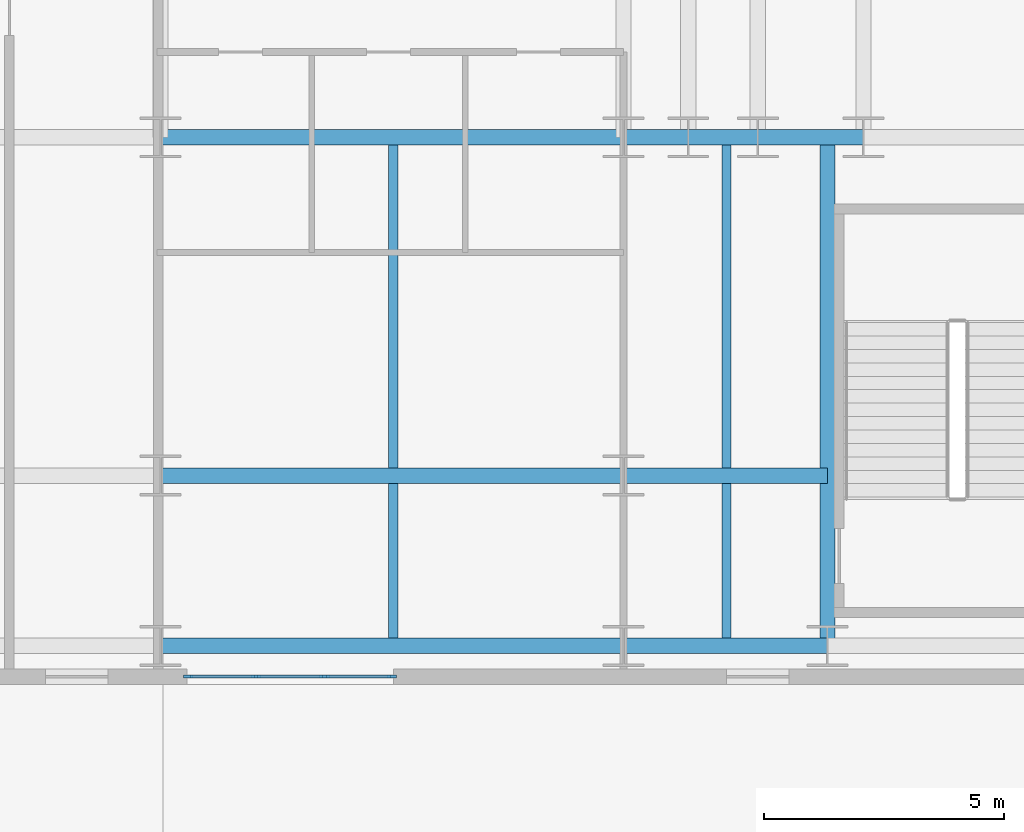
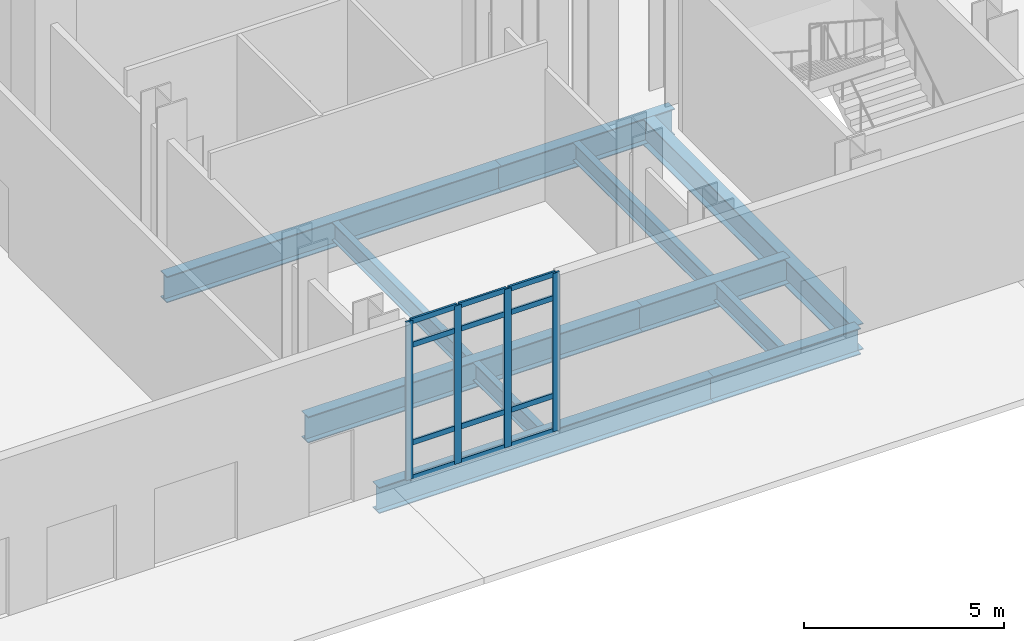
# One storey, part 4 of 21: 16 members, 11 beams, 1 element without a shape of its own.
"""IFC4 building model written with IfcOpenShell, lengths in metres."""

from ifc_helpers import new_model, si_unit, direction, frame, origin, origin_2d, place, context, subcontext, project, spatial, rectangle, i_section, extrude, material, layer, layer_set, material_profile, profile_set, type_object, element, aggregate, save


model = new_model("IFC4")

# Units and contexts
model_context = context("Model", 3, precision=1e-05, world=origin(), true_north=direction((0.0, 1.0)))
body_context = subcontext(model_context, "Body", "Model", "MODEL_VIEW")
ifc_project = project(units=[si_unit("LENGTHUNIT", "METRE"), si_unit("AREAUNIT", "SQUARE_METRE"), si_unit("VOLUMEUNIT", "CUBIC_METRE"), si_unit("PLANEANGLEUNIT", "RADIAN"), si_unit("MASSUNIT", "GRAM", prefix="KILO")], contexts=[model_context])

# Site, building, storey
site_placement = place(None, origin())
site = spatial("IfcSite", under=ifc_project, at=site_placement, CompositionType="ELEMENT")
building_placement = place(site_placement, origin())
building = spatial("IfcBuilding", under=site, at=building_placement, Name="Velakula Bourse", CompositionType="ELEMENT")
storey_placement = place(building_placement, origin())
storey = spatial("IfcBuildingStorey", under=building, at=storey_placement, Name="L00", CompositionType="ELEMENT", Elevation=0.0)

# Beams
ifc_material_1 = material(Name="Steel IS 2062 Grade 350 (E350)", Category="steel")
ifc_material_profile_1 = material_profile(ifc_material_1, i_section(OverallWidth=0.320068359375, OverallDepth=0.800048828125, WebThickness=0.01806640625, FlangeThickness=0.028076171875, at=origin_2d()), Name="Steel IS 2062 Grade 350 (E350)")
ifc_profile_set_1 = profile_set([ifc_material_profile_1], Name="Steel IS 2062 Grade 350 (E350)")
beam_type_1 = type_object("IfcBeamType", Name="BM-POD-800", PredefinedType="BEAM", material=ifc_profile_set_1)
beam_1_placement = place(storey_placement, frame((8.949951171875, -14.60009765625, -0.75), z_axis=(1.0, 0.0, 0.0), x_axis=(0.0, 1.0, 0.0)))
element("IfcBeam", 1, at=beam_1_placement, inside=storey, type_object=beam_type_1, Name="L00 Fulcrum Grid Girder FLC-S3", PredefinedType="BEAM", context=body_context, shape_type="SweptSolid", body=[
    extrude(i_section(OverallWidth=0.320068359375, OverallDepth=0.800048828125, WebThickness=0.01806640625, FlangeThickness=0.028076171875, at=origin_2d()), origin(), (0.0, 0.0, 1.0), 9.650146484375),
])
beam_2_placement = place(storey_placement, frame((18.60009765625, -14.60009765625, -0.75), z_axis=(1.0, 0.0, 0.0), x_axis=(0.0, 1.0, 0.0)))
element("IfcBeam", 2, at=beam_2_placement, inside=storey, type_object=beam_type_1, Name="L00 Fulcrum Grid Girder MWG-ES1", PredefinedType="BEAM", context=body_context, shape_type="SweptSolid", body=[
    extrude(i_section(OverallWidth=0.320068359375, OverallDepth=0.800048828125, WebThickness=0.01806640625, FlangeThickness=0.028076171875, at=origin_2d()), origin(), (0.0, 0.0, 1.0), 5.0),
])
beam_3_placement = place(storey_placement, frame((22.85009765625, -25.199951171875, -0.75), z_axis=(0.0, 1.0, 0.0), x_axis=(-1.0, 0.0, 0.0)))
element("IfcBeam", 3, at=beam_3_placement, inside=storey, type_object=beam_type_1, Name="L00 Podium Stairwell Header Girder STE", PredefinedType="BEAM", context=body_context, shape_type="SweptSolid", body=[
    extrude(i_section(OverallWidth=0.320068359375, OverallDepth=0.800048828125, WebThickness=0.01806640625, FlangeThickness=0.028076171875, at=origin_2d()), origin(), (0.0, 0.0, 1.0), 10.599853515625),
])
beam_4_placement = place(storey_placement, frame((8.949951171875, -25.199951171875, -0.75), z_axis=(1.0, 0.0, 0.0), x_axis=(0.0, 1.0, 0.0)))
element("IfcBeam", 4, at=beam_4_placement, inside=storey, type_object=beam_type_1, Name="L00 Podium E-W Girder 07", PredefinedType="BEAM", context=body_context, shape_type="SweptSolid", body=[
    extrude(i_section(OverallWidth=0.320068359375, OverallDepth=0.800048828125, WebThickness=0.01806640625, FlangeThickness=0.028076171875, at=origin_2d()), origin(), (0.0, 0.0, 1.0), 9.650146484375),
])
beam_5_placement = place(storey_placement, frame((18.60009765625, -25.199951171875, -0.75), z_axis=(1.0, 0.0, 0.0), x_axis=(0.0, 1.0, 0.0)))
element("IfcBeam", 5, at=beam_5_placement, inside=storey, type_object=beam_type_1, Name="L00 Podium E-W Girder 08", PredefinedType="BEAM", context=body_context, shape_type="SweptSolid", body=[
    extrude(i_section(OverallWidth=0.320068359375, OverallDepth=0.800048828125, WebThickness=0.01806640625, FlangeThickness=0.028076171875, at=origin_2d()), origin(), (0.0, 0.0, 1.0), 4.25),
])
beam_6_placement = place(storey_placement, frame((8.949951171875, -21.64990234375, -0.75), z_axis=(1.0, 0.0, 0.0), x_axis=(0.0, 1.0, 0.0)))
element("IfcBeam", 6, at=beam_6_placement, inside=storey, type_object=beam_type_1, Name="L00 Podium E-W Girder 17", PredefinedType="BEAM", context=body_context, shape_type="SweptSolid", body=[
    extrude(i_section(OverallWidth=0.320068359375, OverallDepth=0.800048828125, WebThickness=0.01806640625, FlangeThickness=0.028076171875, at=origin_2d()), origin(), (0.0, 0.0, 1.0), 9.650146484375),
])
beam_7_placement = place(storey_placement, frame((18.60009765625, -21.64990234375, -0.75), z_axis=(1.0, 0.0, 0.0), x_axis=(0.0, 1.0, 0.0)))
element("IfcBeam", 7, at=beam_7_placement, inside=storey, type_object=beam_type_1, Name="L00 Podium E-W Girder 18", PredefinedType="BEAM", context=body_context, shape_type="SweptSolid", body=[
    extrude(i_section(OverallWidth=0.320068359375, OverallDepth=0.800048828125, WebThickness=0.01806640625, FlangeThickness=0.028076171875, at=origin_2d()), origin(), (0.0, 0.0, 1.0), 4.25),
])
ifc_material_profile_2 = material_profile(ifc_material_1, i_section(OverallWidth=0.18994140625, OverallDepth=0.550048828125, WebThickness=0.01123046875, FlangeThickness=0.019287109375, at=origin_2d()), Name="Steel IS 2062 Grade 350 (E350)")
ifc_profile_set_2 = profile_set([ifc_material_profile_2], Name="Steel IS 2062 Grade 350 (E350)")
beam_type_2 = type_object("IfcBeamType", Name="JST-POD-550", PredefinedType="JOIST", material=ifc_profile_set_2)
beam_8_placement = place(storey_placement, frame((13.800048828125, -25.0400390625, -0.625), z_axis=(0.0, 1.0, 0.0), x_axis=(-1.0, 0.0, 0.0)))
element("IfcBeam", 8, at=beam_8_placement, inside=storey, type_object=beam_type_2, Name="L00 Station Podium Floor Joist 21", PredefinedType="JOIST", context=body_context, shape_type="SweptSolid", body=[
    extrude(i_section(OverallWidth=0.18994140625, OverallDepth=0.550048828125, WebThickness=0.01123046875, FlangeThickness=0.019287109375, at=origin_2d()), origin(), (0.0, 0.0, 1.0), 3.22998046875),
])
beam_9_placement = place(storey_placement, frame((13.800048828125, -21.489990234375, -0.625), z_axis=(0.0, 1.0, 0.0), x_axis=(-1.0, 0.0, 0.0)))
element("IfcBeam", 9, at=beam_9_placement, inside=storey, type_object=beam_type_2, Name="L00 Station Podium Floor Joist 22", PredefinedType="JOIST", context=body_context, shape_type="SweptSolid", body=[
    extrude(i_section(OverallWidth=0.18994140625, OverallDepth=0.550048828125, WebThickness=0.01123046875, FlangeThickness=0.019287109375, at=origin_2d()), origin(), (0.0, 0.0, 1.0), 6.72998046875),
])
beam_10_placement = place(storey_placement, frame((20.75, -25.0400390625, -0.625), z_axis=(0.0, 1.0, 0.0), x_axis=(-1.0, 0.0, 0.0)))
element("IfcBeam", 10, at=beam_10_placement, inside=storey, type_object=beam_type_2, Name="L00 Station Podium Floor Joist 25", PredefinedType="JOIST", context=body_context, shape_type="SweptSolid", body=[
    extrude(i_section(OverallWidth=0.18994140625, OverallDepth=0.550048828125, WebThickness=0.01123046875, FlangeThickness=0.019287109375, at=origin_2d()), origin(), (0.0, 0.0, 1.0), 3.22998046875),
])
beam_11_placement = place(storey_placement, frame((20.75, -21.489990234375, -0.625), z_axis=(0.0, 1.0, 0.0), x_axis=(-1.0, 0.0, 0.0)))
element("IfcBeam", 11, at=beam_11_placement, inside=storey, type_object=beam_type_2, Name="L00 Station Podium Floor Joist 26", PredefinedType="JOIST", context=body_context, shape_type="SweptSolid", body=[
    extrude(i_section(OverallWidth=0.18994140625, OverallDepth=0.550048828125, WebThickness=0.01123046875, FlangeThickness=0.019287109375, at=origin_2d()), origin(), (0.0, 0.0, 1.0), 6.72998046875),
])

# Curtain wall, members
ifc_material_2 = material(Name="Anodised bronze architectural aluminium", Category="aluminium")
ifc_layer = layer(ifc_material_2, 0.199951171875, Name="Anodised bronze architectural aluminium", Category="aluminium")
ifc_layer_set = layer_set([ifc_layer], Name="Anodised bronze architectural aluminium")
curtain_wall_type = type_object("IfcCurtainWallType", Name="CW-ST1", PredefinedType="NOTDEFINED", material=ifc_layer_set)
curtain_wall_placement = place(storey_placement, origin())
curtain_wall = element("IfcCurtainWall", 12, at=curtain_wall_placement, inside=storey, type_object=curtain_wall_type, Name="L00 South Station Galleria Curtain Wall 2", PredefinedType="NOTDEFINED")
ifc_material_profile_3 = material_profile(ifc_material_2, rectangle(XDim=0.06005859375, YDim=0.199951171875, at=origin_2d()), Name="Anodised bronze architectural aluminium")
ifc_profile_set_3 = profile_set([ifc_material_profile_3], Name="Anodised bronze architectural aluminium")
member_type_1 = type_object("IfcMemberType", Name="MUL-CW-ST1", PredefinedType="MULLION", material=ifc_profile_set_3)
member_1_placement = place(storey_placement, frame((13.77001953125, -25.840087890625, 0.0), z_axis=(0.0, 0.0, 1.0), x_axis=(0.0, -1.0, 0.0)))
member_1 = element("IfcMember", 13, at=member_1_placement, type_object=member_type_1, Name="CW-ST1 mullion 1", PredefinedType="MULLION", context=body_context, shape_type="SweptSolid", body=[
    extrude(rectangle(XDim=0.06005859375, YDim=0.199951171875, at=origin_2d()), origin(), (0.0, 0.0, 1.0), 4.830078125),
])
member_2_placement = place(storey_placement, frame((12.36669921875, -25.840087890625, 0.0), z_axis=(0.0, 0.0, 1.0), x_axis=(0.0, -1.0, 0.0)))
member_2 = element("IfcMember", 14, at=member_2_placement, type_object=member_type_1, Name="CW-ST1 mullion 2", PredefinedType="MULLION", context=body_context, shape_type="SweptSolid", body=[
    extrude(rectangle(XDim=0.06005859375, YDim=0.199951171875, at=origin_2d()), origin(), (0.0, 0.0, 1.0), 4.830078125),
])
member_3_placement = place(storey_placement, frame((10.933349609375, -25.840087890625, 0.0), z_axis=(0.0, 0.0, 1.0), x_axis=(0.0, -1.0, 0.0)))
member_3 = element("IfcMember", 15, at=member_3_placement, type_object=member_type_1, Name="CW-ST1 mullion 3", PredefinedType="MULLION", context=body_context, shape_type="SweptSolid", body=[
    extrude(rectangle(XDim=0.06005859375, YDim=0.199951171875, at=origin_2d()), origin(), (0.0, 0.0, 1.0), 4.830078125),
])
member_4_placement = place(storey_placement, frame((9.530029296875, -25.840087890625, 0.0), z_axis=(0.0, 0.0, 1.0), x_axis=(0.0, -1.0, 0.0)))
member_4 = element("IfcMember", 16, at=member_4_placement, type_object=member_type_1, Name="CW-ST1 mullion 4", PredefinedType="MULLION", context=body_context, shape_type="SweptSolid", body=[
    extrude(rectangle(XDim=0.06005859375, YDim=0.199951171875, at=origin_2d()), origin(), (0.0, 0.0, 1.0), 4.830078125),
])
ifc_material_profile_4 = material_profile(ifc_material_2, rectangle(XDim=0.06005859375, YDim=0.159912109375, at=origin_2d()), Name="Anodised bronze architectural aluminium")
ifc_profile_set_4 = profile_set([ifc_material_profile_4], Name="Anodised bronze architectural aluminium")
member_type_2 = type_object("IfcMemberType", Name="TRN-CW-ST1", PredefinedType="USERDEFINED", material=ifc_profile_set_4)
member_5_placement = place(storey_placement, frame((13.739990234375, -25.840087890625, 0.030029296875), z_axis=(-1.0, 0.0, 0.0), x_axis=(0.0, -1.0, 0.0)))
member_5 = element("IfcMember", 17, at=member_5_placement, type_object=member_type_2, Name="CW-ST1 transom 1.1", ObjectType="TRANSOM", PredefinedType="USERDEFINED", context=body_context, shape_type="SweptSolid", body=[
    extrude(rectangle(XDim=0.06005859375, YDim=0.159912109375, at=origin_2d()), origin(), (0.0, 0.0, 1.0), 1.34326171875),
])
member_6_placement = place(storey_placement, frame((13.739990234375, -25.840087890625, 1.10009765625), z_axis=(-1.0, 0.0, 0.0), x_axis=(0.0, -1.0, 0.0)))
member_6 = element("IfcMember", 18, at=member_6_placement, type_object=member_type_2, Name="CW-ST1 transom 1.2", ObjectType="TRANSOM", PredefinedType="USERDEFINED", context=body_context, shape_type="SweptSolid", body=[
    extrude(rectangle(XDim=0.06005859375, YDim=0.159912109375, at=origin_2d()), origin(), (0.0, 0.0, 1.0), 1.34326171875),
])
member_7_placement = place(storey_placement, frame((13.739990234375, -25.840087890625, 4.080078125), z_axis=(-1.0, 0.0, 0.0), x_axis=(0.0, -1.0, 0.0)))
member_7 = element("IfcMember", 19, at=member_7_placement, type_object=member_type_2, Name="CW-ST1 transom 1.3", ObjectType="TRANSOM", PredefinedType="USERDEFINED", context=body_context, shape_type="SweptSolid", body=[
    extrude(rectangle(XDim=0.06005859375, YDim=0.159912109375, at=origin_2d()), origin(), (0.0, 0.0, 1.0), 1.34326171875),
])
member_8_placement = place(storey_placement, frame((13.739990234375, -25.840087890625, 4.800048828125), z_axis=(-1.0, 0.0, 0.0), x_axis=(0.0, -1.0, 0.0)))
member_8 = element("IfcMember", 20, at=member_8_placement, type_object=member_type_2, Name="CW-ST1 transom 1.4", ObjectType="TRANSOM", PredefinedType="USERDEFINED", context=body_context, shape_type="SweptSolid", body=[
    extrude(rectangle(XDim=0.06005859375, YDim=0.159912109375, at=origin_2d()), origin(), (0.0, 0.0, 1.0), 1.34326171875),
])
member_9_placement = place(storey_placement, frame((12.336669921875, -25.840087890625, 0.030029296875), z_axis=(-1.0, 0.0, 0.0), x_axis=(0.0, -1.0, 0.0)))
member_9 = element("IfcMember", 21, at=member_9_placement, type_object=member_type_2, Name="CW-ST1 transom 2.1", ObjectType="TRANSOM", PredefinedType="USERDEFINED", context=body_context, shape_type="SweptSolid", body=[
    extrude(rectangle(XDim=0.06005859375, YDim=0.159912109375, at=origin_2d()), origin(), (0.0, 0.0, 1.0), 1.373291015625),
])
member_10_placement = place(storey_placement, frame((12.336669921875, -25.840087890625, 1.10009765625), z_axis=(-1.0, 0.0, 0.0), x_axis=(0.0, -1.0, 0.0)))
member_10 = element("IfcMember", 22, at=member_10_placement, type_object=member_type_2, Name="CW-ST1 transom 2.2", ObjectType="TRANSOM", PredefinedType="USERDEFINED", context=body_context, shape_type="SweptSolid", body=[
    extrude(rectangle(XDim=0.06005859375, YDim=0.159912109375, at=origin_2d()), origin(), (0.0, 0.0, 1.0), 1.373291015625),
])
member_11_placement = place(storey_placement, frame((12.336669921875, -25.840087890625, 4.080078125), z_axis=(-1.0, 0.0, 0.0), x_axis=(0.0, -1.0, 0.0)))
member_11 = element("IfcMember", 23, at=member_11_placement, type_object=member_type_2, Name="CW-ST1 transom 2.3", ObjectType="TRANSOM", PredefinedType="USERDEFINED", context=body_context, shape_type="SweptSolid", body=[
    extrude(rectangle(XDim=0.06005859375, YDim=0.159912109375, at=origin_2d()), origin(), (0.0, 0.0, 1.0), 1.373291015625),
])
member_12_placement = place(storey_placement, frame((12.336669921875, -25.840087890625, 4.800048828125), z_axis=(-1.0, 0.0, 0.0), x_axis=(0.0, -1.0, 0.0)))
member_12 = element("IfcMember", 24, at=member_12_placement, type_object=member_type_2, Name="CW-ST1 transom 2.4", ObjectType="TRANSOM", PredefinedType="USERDEFINED", context=body_context, shape_type="SweptSolid", body=[
    extrude(rectangle(XDim=0.06005859375, YDim=0.159912109375, at=origin_2d()), origin(), (0.0, 0.0, 1.0), 1.373291015625),
])
member_13_placement = place(storey_placement, frame((10.9033203125, -25.840087890625, 0.030029296875), z_axis=(-1.0, 0.0, 0.0), x_axis=(0.0, -1.0, 0.0)))
member_13 = element("IfcMember", 25, at=member_13_placement, type_object=member_type_2, Name="CW-ST1 transom 3.1", ObjectType="TRANSOM", PredefinedType="USERDEFINED", context=body_context, shape_type="SweptSolid", body=[
    extrude(rectangle(XDim=0.06005859375, YDim=0.159912109375, at=origin_2d()), origin(), (0.0, 0.0, 1.0), 1.34326171875),
])
member_14_placement = place(storey_placement, frame((10.9033203125, -25.840087890625, 1.10009765625), z_axis=(-1.0, 0.0, 0.0), x_axis=(0.0, -1.0, 0.0)))
member_14 = element("IfcMember", 26, at=member_14_placement, type_object=member_type_2, Name="CW-ST1 transom 3.2", ObjectType="TRANSOM", PredefinedType="USERDEFINED", context=body_context, shape_type="SweptSolid", body=[
    extrude(rectangle(XDim=0.06005859375, YDim=0.159912109375, at=origin_2d()), origin(), (0.0, 0.0, 1.0), 1.34326171875),
])
member_15_placement = place(storey_placement, frame((10.9033203125, -25.840087890625, 4.080078125), z_axis=(-1.0, 0.0, 0.0), x_axis=(0.0, -1.0, 0.0)))
member_15 = element("IfcMember", 27, at=member_15_placement, type_object=member_type_2, Name="CW-ST1 transom 3.3", ObjectType="TRANSOM", PredefinedType="USERDEFINED", context=body_context, shape_type="SweptSolid", body=[
    extrude(rectangle(XDim=0.06005859375, YDim=0.159912109375, at=origin_2d()), origin(), (0.0, 0.0, 1.0), 1.34326171875),
])
member_16_placement = place(storey_placement, frame((10.9033203125, -25.840087890625, 4.800048828125), z_axis=(-1.0, 0.0, 0.0), x_axis=(0.0, -1.0, 0.0)))
member_16 = element("IfcMember", 28, at=member_16_placement, type_object=member_type_2, Name="CW-ST1 transom 3.4", ObjectType="TRANSOM", PredefinedType="USERDEFINED", context=body_context, shape_type="SweptSolid", body=[
    extrude(rectangle(XDim=0.06005859375, YDim=0.159912109375, at=origin_2d()), origin(), (0.0, 0.0, 1.0), 1.34326171875),
])
aggregate(curtain_wall, [member_1, member_2, member_3, member_4, member_5, member_6, member_7, member_8, member_9, member_10, member_11, member_12, member_13, member_14, member_15, member_16])

save(model, "model.ifc")
